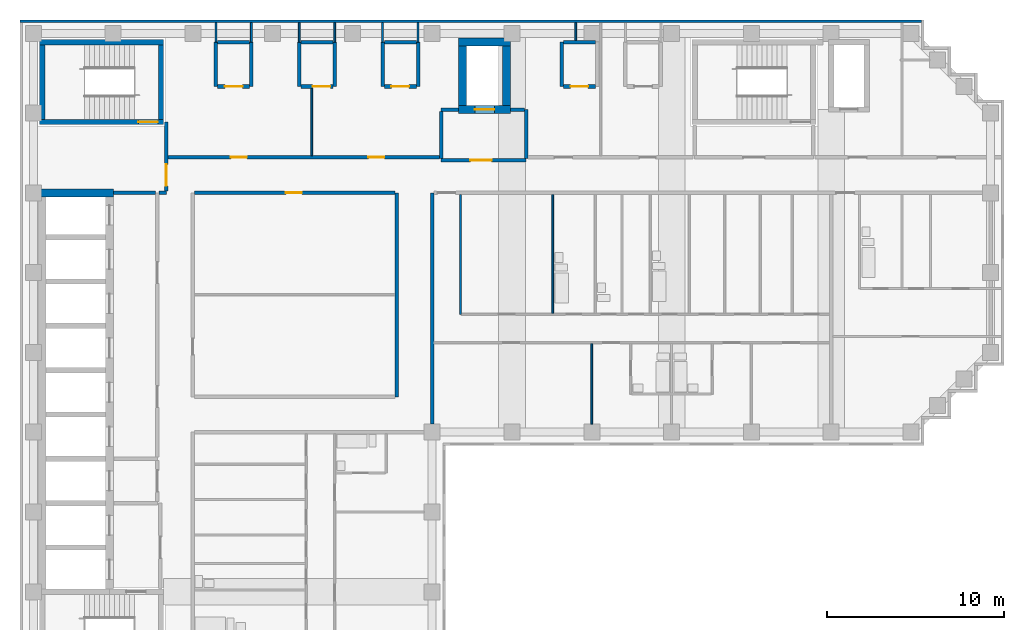
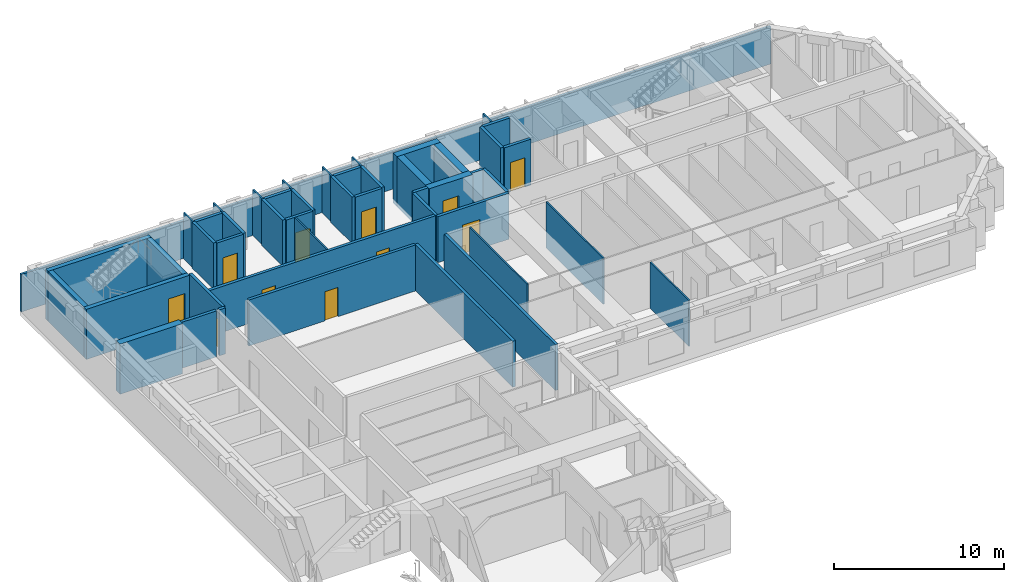
# One storey, part 5 of 10: 48 walls, 11 doors, 11 openings.
"""IFC4 building model written with IfcOpenShell, lengths in metres."""

from ifc_helpers import new_model, si_unit, direction, frame, frame_2d, origin, place, context, subcontext, project, spatial, rectangle, extrude, material, layer, layer_set, type_object, element, fill, save


model = new_model("IFC4")

# Units and contexts
model_context = context("Model", 3, precision=1e-05, world=origin(), true_north=direction((0.0, 1.0)))
body_context = subcontext(model_context, "Body", "Model", "MODEL_VIEW")
ifc_project = project(units=[si_unit("LENGTHUNIT", "METRE"), si_unit("AREAUNIT", "SQUARE_METRE"), si_unit("VOLUMEUNIT", "CUBIC_METRE"), si_unit("PLANEANGLEUNIT", "RADIAN"), si_unit("MASSUNIT", "GRAM", prefix="KILO")], contexts=[model_context])

# Site, building, storey
site_placement = place(None, origin())
site = spatial("IfcSite", under=ifc_project, at=site_placement, CompositionType="ELEMENT")
building_placement = place(site_placement, origin())
building = spatial("IfcBuilding", under=site, at=building_placement, Name="Firuza Court", CompositionType="ELEMENT")
storey_placement = place(building_placement, frame((0.0, 0.0, 200.60009765625)))
storey = spatial("IfcBuildingStorey", under=building, at=storey_placement, Name="L51", CompositionType="ELEMENT", Elevation=200.60009765625)

# Wall
ifc_material_1 = material(Name="Moisture-resistant gypsum board partition")
ifc_layer_1 = layer(ifc_material_1, 0.10009765625)
ifc_layer_set_1 = layer_set([ifc_layer_1], Name="Moisture-resistant gypsum board partition")
wall_type_1 = type_object("IfcWallType", Name="Bathroom partition 100", PredefinedType="PLUMBINGWALL", material=ifc_layer_set_1)
wall_1_placement = place(storey_placement, frame((29.300048828125, 42.699951171875, 0.0), z_axis=(0.0, 0.0, 1.0), x_axis=(0.0, 1.0, 0.0)))
element("IfcWall", 1, at=wall_1_placement, inside=storey, type_object=wall_type_1, Name="Bathroom partition 100 L51", PredefinedType="PLUMBINGWALL", context=body_context, shape_type="SweptSolid", body=[
    extrude(rectangle(XDim=6.699951171875, YDim=0.10009765625, at=frame_2d((3.35009765625, 0.0))), origin(), (0.0, 0.0, 1.0), 3.2998046875),
])

# Wall, opening, door
ifc_material_2 = material(Name="Concrete C50/60", Category="concrete")
ifc_layer_2 = layer(ifc_material_2, 0.300048828125)
ifc_layer_set_2 = layer_set([ifc_layer_2], Name="Concrete C50/60")
wall_type_2 = type_object("IfcWallType", Name="Core wall 300 C50/60", PredefinedType="SHEAR", material=ifc_layer_set_2)
wall_2_placement = place(storey_placement, frame((0.35009765625, 53.5, -0.300048828125), z_axis=(0.0, 0.0, 1.0), x_axis=(1.0, 0.0, 0.0)))
wall_2 = element("IfcWall", 2, at=wall_2_placement, inside=storey, type_object=wall_type_2, Name="Core wall stair L51", PredefinedType="SHEAR", context=body_context, shape_type="SweptSolid", body=[
    extrude(rectangle(XDim=7.0, YDim=0.300048828125, at=frame_2d((3.5, 0.0))), origin(), (0.0, 0.0, 1.0), 3.599853515625),
])
opening_1_placement = place(wall_2_placement, frame((5.580078125, 0.0, 0.300048828125)))
opening_1 = element("IfcOpeningElement", 3, at=opening_1_placement, cuts=wall_2, Name="Opening D51014", PredefinedType="OPENING", context=body_context, shape_type="SweptSolid", body=[
    extrude(rectangle(XDim=1.10009765625, YDim=2.10009765625, at=frame_2d((0.550048828125, 1.050048828125))), frame((0.0, 0.162109375, 0.0), z_axis=(0.0, -1.0, 0.0), x_axis=(1.0, 0.0, 0.0)), (0.0, 0.0, 1.0), 0.323974609375),
])
ifc_material_3 = material(Name="Timber door leaf in hardwood frame", Category="wood")
door_type_1 = type_object("IfcDoorType", Name="Stair door 1100", OperationType="SINGLE_SWING_LEFT", PredefinedType="DOOR", material=ifc_material_3)
door_1_placement = place(opening_1_placement, origin())
door_1 = element("IfcDoor", 4, at=door_1_placement, inside=storey, type_object=door_type_1, Name="Stair door S3", OperationType="SINGLE_SWING_RIGHT", OverallHeight=2.10009765625, OverallWidth=1.10009765625, PredefinedType="DOOR", context=body_context, shape_type="SweptSolid", body=[
    extrude(rectangle(XDim=1.10009765625, YDim=2.10009765625, at=frame_2d((0.550048828125, 1.050048828125))), frame((0.0, 0.02490234375, 0.0), z_axis=(0.0, -1.0, 0.0), x_axis=(1.0, 0.0, 0.0)), (0.0, 0.0, 1.0), 0.050048828125),
])
fill(opening_1, door_1)

# Walls
wall_3_placement = place(storey_placement, frame((0.35009765625, 58.0, -0.300048828125), z_axis=(0.0, 0.0, 1.0), x_axis=(1.0, 0.0, 0.0)))
element("IfcWall", 5, at=wall_3_placement, inside=storey, type_object=wall_type_2, Name="Core wall stair L51", PredefinedType="SHEAR", context=body_context, shape_type="SweptSolid", body=[
    extrude(rectangle(XDim=7.0, YDim=0.300048828125, at=frame_2d((3.5, 0.0))), origin(), (0.0, 0.0, 1.0), 3.599853515625),
])
for number, where, z_axis, x_axis, name in (
    (6, (0.5, 53.64990234375, -0.300048828125), (0.0, 0.0, 1.0), (0.0, 1.0, 0.0), "Core wall stair L51"),
    (7, (7.199951171875, 53.64990234375, -0.300048828125), (0.0, 0.0, 1.0), (0.0, 1.0, 0.0), "Core wall stair L51"),
):
    element("IfcWall", number, at=place(storey_placement, frame(where, z_axis=z_axis, x_axis=x_axis)), inside=storey, type_object=wall_type_2, Name=name, PredefinedType="SHEAR", context=body_context, shape_type="SweptSolid", body=[
        extrude(rectangle(XDim=4.2001953125, YDim=0.300048828125, at=frame_2d((2.10009765625, 0.0))), origin(), (0.0, 0.0, 1.0), 3.599853515625),
    ])
ifc_layer_3 = layer(ifc_material_2, 0.449951171875)
ifc_layer_set_3 = layer_set([ifc_layer_3], Name="Concrete C50/60")
wall_type_3 = type_object("IfcWallType", Name="Core wall 450 C50/60", PredefinedType="SHEAR", material=ifc_layer_set_3)
wall_4_placement = place(storey_placement, frame((0.27490234375, 49.5, -0.300048828125), z_axis=(0.0, 0.0, 1.0), x_axis=(1.0, 0.0, 0.0)))
element("IfcWall", 8, at=wall_4_placement, inside=storey, type_object=wall_type_3, Name="Core wall lift shaft L51", PredefinedType="SHEAR", context=body_context, shape_type="SweptSolid", body=[
    extrude(rectangle(XDim=4.25, YDim=0.449951171875, at=frame_2d((2.125, 0.0))), origin(), (0.0, 0.0, 1.0), 3.599853515625),
])

# Wall, opening, door
wall_5_placement = place(storey_placement, frame((23.97509765625, 54.199951171875, -0.300048828125), z_axis=(0.0, 0.0, 1.0), x_axis=(1.0, 0.0, 0.0)))
wall_5 = element("IfcWall", 9, at=wall_5_placement, inside=storey, type_object=wall_type_3, Name="Core wall lift shaft L51", PredefinedType="SHEAR", context=body_context, shape_type="SweptSolid", body=[
    extrude(rectangle(XDim=2.949951171875, YDim=0.449951171875, at=frame_2d((1.47509765625, 0.0))), origin(), (0.0, 0.0, 1.0), 3.599853515625),
])
opening_2_placement = place(wall_5_placement, frame((0.925048828125, 0.0, 0.300048828125)))
opening_2 = element("IfcOpeningElement", 10, at=opening_2_placement, cuts=wall_5, Name="Opening LD-FL3-51", PredefinedType="OPENING", context=body_context, shape_type="SweptSolid", body=[
    extrude(rectangle(XDim=1.10009765625, YDim=2.10009765625, at=frame_2d((0.550048828125, 1.050048828125))), frame((0.0, 0.23681640625, 0.0), z_axis=(0.0, -1.0, 0.0), x_axis=(1.0, 0.0, 0.0)), (0.0, 0.0, 1.0), 0.473876953125),
])
ifc_material_4 = material(Name="Stainless steel 1.4301 door leaf", Category="steel")
door_type_2 = type_object("IfcDoorType", Name="Lift landing door 1100", OperationType="SLIDING_TO_LEFT", PredefinedType="DOOR", material=ifc_material_4)
door_2_placement = place(opening_2_placement, origin())
door_2 = element("IfcDoor", 11, at=door_2_placement, inside=storey, type_object=door_type_2, Name="Landing door FL3", OperationType="SLIDING_TO_LEFT", OverallHeight=2.10009765625, OverallWidth=1.10009765625, PredefinedType="DOOR", context=body_context, shape_type="SweptSolid", body=[
    extrude(rectangle(XDim=1.10009765625, YDim=2.10009765625, at=frame_2d((0.550048828125, 1.050048828125))), frame((0.0, 0.02490234375, 0.0), z_axis=(0.0, -1.0, 0.0), x_axis=(1.0, 0.0, 0.0)), (0.0, 0.0, 1.0), 0.050048828125),
])
fill(opening_2, door_2)

# Walls
wall_6_placement = place(storey_placement, frame((23.97509765625, 58.0, -0.300048828125), z_axis=(0.0, 0.0, 1.0), x_axis=(1.0, 0.0, 0.0)))
element("IfcWall", 12, at=wall_6_placement, inside=storey, type_object=wall_type_3, Name="Core wall lift shaft L51", PredefinedType="SHEAR", context=body_context, shape_type="SweptSolid", body=[
    extrude(rectangle(XDim=2.949951171875, YDim=0.449951171875, at=frame_2d((1.47509765625, 0.0))), origin(), (0.0, 0.0, 1.0), 3.599853515625),
])
for number, where, z_axis, x_axis, name in (
    (13, (24.199951171875, 54.425048828125, -0.300048828125), (0.0, 0.0, 1.0), (0.0, 1.0, 0.0), "Core wall lift shaft L51"),
    (14, (26.699951171875, 54.425048828125, -0.300048828125), (0.0, 0.0, 1.0), (0.0, 1.0, 0.0), "Core wall lift shaft L51"),
):
    element("IfcWall", number, at=place(storey_placement, frame(where, z_axis=z_axis, x_axis=x_axis)), inside=storey, type_object=wall_type_3, Name=name, PredefinedType="SHEAR", context=body_context, shape_type="SweptSolid", body=[
        extrude(rectangle(XDim=3.349853515625, YDim=0.449951171875, at=frame_2d((1.6748046875, 0.0))), origin(), (0.0, 0.0, 1.0), 3.599853515625),
    ])
ifc_material_5 = material(Name="Blockwork, plastered both sides", Category="masonry")
ifc_layer_4 = layer(ifc_material_5, 0.199951171875)
ifc_layer_set_4 = layer_set([ifc_layer_4], Name="Blockwork, plastered both sides")
wall_type_4 = type_object("IfcWallType", Name="Corridor wall 200", PredefinedType="PARTITIONING", material=ifc_layer_set_4)
wall_7_placement = place(storey_placement, frame((20.5, 38.0, 0.0), z_axis=(0.0, 0.0, 1.0), x_axis=(0.0, 1.0, 0.0)))
element("IfcWall", 15, at=wall_7_placement, inside=storey, type_object=wall_type_4, Name="Corridor wall 200 L51", PredefinedType="PARTITIONING", context=body_context, shape_type="SweptSolid", body=[
    extrude(rectangle(XDim=11.5, YDim=0.199951171875, at=frame_2d((5.75, 0.0))), origin(), (0.0, 0.0, 1.0), 3.2998046875),
])

# Wall, opening, door
wall_8_placement = place(storey_placement, frame((9.10009765625, 49.5, 0.0), z_axis=(0.0, 0.0, 1.0), x_axis=(1.0, 0.0, 0.0)))
wall_8 = element("IfcWall", 16, at=wall_8_placement, inside=storey, type_object=wall_type_4, Name="Corridor wall 200 L51", PredefinedType="PARTITIONING", context=body_context, shape_type="SweptSolid", body=[
    extrude(rectangle(XDim=11.2998046875, YDim=0.199951171875, at=frame_2d((5.64990234375, 0.0))), origin(), (0.0, 0.0, 1.0), 3.2998046875),
])
opening_3_placement = place(wall_8_placement, frame((5.14990234375, 0.0, 0.0)))
opening_3 = element("IfcOpeningElement", 17, at=opening_3_placement, cuts=wall_8, Name="Opening D51056", PredefinedType="OPENING", context=body_context, shape_type="SweptSolid", body=[
    extrude(rectangle(XDim=0.89990234375, YDim=2.10009765625, at=frame_2d((0.449951171875, 1.050048828125))), frame((0.0, 0.11181640625, 0.0), z_axis=(0.0, -1.0, 0.0), x_axis=(1.0, 0.0, 0.0)), (0.0, 0.0, 1.0), 0.223876953125),
])
ifc_material_6 = material(Name="Timber door leaf in hardwood frame", Category="wood")
door_type_3 = type_object("IfcDoorType", Name="Room door 900 EI 30", OperationType="SINGLE_SWING_LEFT", PredefinedType="DOOR", material=ifc_material_6)
door_3_placement = place(opening_3_placement, origin())
door_3 = element("IfcDoor", 18, at=door_3_placement, inside=storey, type_object=door_type_3, Name="Residents' club lounge door", OperationType="SINGLE_SWING_LEFT", OverallHeight=2.10009765625, OverallWidth=0.89990234375, PredefinedType="DOOR", context=body_context, shape_type="SweptSolid", body=[
    extrude(rectangle(XDim=0.89990234375, YDim=2.10009765625, at=frame_2d((0.449951171875, 1.050048828125))), frame((0.0, 0.02490234375, 0.0), z_axis=(0.0, -1.0, 0.0), x_axis=(1.0, 0.0, 0.0)), (0.0, 0.0, 1.0), 0.050048828125),
])
fill(opening_3, door_3)

# Wall, openings, doors
wall_9_placement = place(storey_placement, frame((7.60009765625, 51.5, 0.0), z_axis=(0.0, 0.0, 1.0), x_axis=(1.0, 0.0, 0.0)))
wall_9 = element("IfcWall", 19, at=wall_9_placement, inside=storey, type_object=wall_type_4, Name="Corridor wall 200 L51", PredefinedType="PARTITIONING", context=body_context, shape_type="SweptSolid", body=[
    extrude(rectangle(XDim=15.2998046875, YDim=0.199951171875, at=frame_2d((7.64990234375, 0.0))), origin(), (0.0, 0.0, 1.0), 3.2998046875),
])
opening_4_placement = place(wall_9_placement, frame((3.550048828125, 0.0, 0.0)))
opening_4 = element("IfcOpeningElement", 20, at=opening_4_placement, cuts=wall_9, Name="Opening D51059", PredefinedType="OPENING", context=body_context, shape_type="SweptSolid", body=[
    extrude(rectangle(XDim=0.89990234375, YDim=2.10009765625, at=frame_2d((0.449951171875, 1.050048828125))), frame((0.0, 0.11181640625, 0.0), z_axis=(0.0, -1.0, 0.0), x_axis=(1.0, 0.0, 0.0)), (0.0, 0.0, 1.0), 0.223876953125),
])
opening_5_placement = place(wall_9_placement, frame((11.300048828125, 0.0, 0.0)))
opening_5 = element("IfcOpeningElement", 21, at=opening_5_placement, cuts=wall_9, Name="Opening D51060", PredefinedType="OPENING", context=body_context, shape_type="SweptSolid", body=[
    extrude(rectangle(XDim=0.89990234375, YDim=2.10009765625, at=frame_2d((0.449951171875, 1.050048828125))), frame((0.0, 0.11181640625, 0.0), z_axis=(0.0, -1.0, 0.0), x_axis=(1.0, 0.0, 0.0)), (0.0, 0.0, 1.0), 0.223876953125),
])
door_4_placement = place(opening_4_placement, origin())
door_4 = element("IfcDoor", 22, at=door_4_placement, inside=storey, type_object=door_type_3, Name="Meeting room door", OperationType="SINGLE_SWING_LEFT", OverallHeight=2.10009765625, OverallWidth=0.89990234375, PredefinedType="DOOR", context=body_context, shape_type="SweptSolid", body=[
    extrude(rectangle(XDim=0.89990234375, YDim=2.10009765625, at=frame_2d((0.449951171875, 1.050048828125))), frame((0.0, 0.02490234375, 0.0), z_axis=(0.0, -1.0, 0.0), x_axis=(1.0, 0.0, 0.0)), (0.0, 0.0, 1.0), 0.050048828125),
])
fill(opening_4, door_4)
door_5_placement = place(opening_5_placement, origin())
door_5 = element("IfcDoor", 23, at=door_5_placement, inside=storey, type_object=door_type_3, Name="Meeting room door", OperationType="SINGLE_SWING_LEFT", OverallHeight=2.10009765625, OverallWidth=0.89990234375, PredefinedType="DOOR", context=body_context, shape_type="SweptSolid", body=[
    extrude(rectangle(XDim=0.89990234375, YDim=2.10009765625, at=frame_2d((0.449951171875, 1.050048828125))), frame((0.0, 0.02490234375, 0.0), z_axis=(0.0, -1.0, 0.0), x_axis=(1.0, 0.0, 0.0)), (0.0, 0.0, 1.0), 0.050048828125),
])
fill(opening_5, door_5)

# Walls
ifc_material_7 = material(Name="Timber stud partition, plasterboard both sides", Category="wood")
ifc_layer_5 = layer(ifc_material_7, 0.10009765625)
ifc_layer_set_5 = layer_set([ifc_layer_5], Name="Timber stud partition, plasterboard both sides")
wall_type_5 = type_object("IfcWallType", Name="Partition wall 100", PredefinedType="PARTITIONING", material=ifc_layer_set_5)
wall_10_placement = place(storey_placement, frame((31.5, 36.449951171875, 0.0), z_axis=(0.0, 0.0, 1.0), x_axis=(0.0, 1.0, 0.0)))
element("IfcWall", 24, at=wall_10_placement, inside=storey, type_object=wall_type_5, Name="Partition wall 100 L51", PredefinedType="PARTITIONING", context=body_context, shape_type="SweptSolid", body=[
    extrude(rectangle(XDim=4.550048828125, YDim=0.10009765625, at=frame_2d((2.27490234375, 0.0))), origin(), (0.0, 0.0, 1.0), 3.2998046875),
])
wall_11_placement = place(storey_placement, frame((24.10009765625, 42.64990234375, 0.0), z_axis=(0.0, 0.0, 1.0), x_axis=(0.0, 1.0, 0.0)))
element("IfcWall", 25, at=wall_11_placement, inside=storey, type_object=wall_type_5, Name="Partition wall 100 L51", PredefinedType="PARTITIONING", context=body_context, shape_type="SweptSolid", body=[
    extrude(rectangle(XDim=6.75, YDim=0.10009765625, at=frame_2d((3.375, 0.0))), origin(), (0.0, 0.0, 1.0), 3.2998046875),
])
wall_12_placement = place(storey_placement, frame((15.699951171875, 51.60009765625, 0.0), z_axis=(0.0, 0.0, 1.0), x_axis=(0.0, 1.0, 0.0)))
element("IfcWall", 26, at=wall_12_placement, inside=storey, type_object=wall_type_5, Name="Partition wall 100 L51", PredefinedType="PARTITIONING", context=body_context, shape_type="SweptSolid", body=[
    extrude(rectangle(XDim=3.7998046875, YDim=0.10009765625, at=frame_2d((1.89990234375, 0.0))), origin(), (0.0, 0.0, 1.0), 3.2998046875),
])
for number, where, z_axis, x_axis, name in (
    (27, (10.300048828125, 58.0, 0.0), (0.0, 0.0, 1.0), (0.0, 1.0, 0.0), "Partition wall 100 L51"),
    (28, (12.300048828125, 58.0, 0.0), (0.0, 0.0, 1.0), (0.0, 1.0, 0.0), "Partition wall 100 L51"),
    (29, (15.0, 58.0, 0.0), (0.0, 0.0, 1.0), (0.0, 1.0, 0.0), "Partition wall 100 L51"),
    (30, (17.0, 58.0, 0.0), (0.0, 0.0, 1.0), (0.0, 1.0, 0.0), "Partition wall 100 L51"),
    (31, (19.699951171875, 58.0, 0.0), (0.0, 0.0, 1.0), (0.0, 1.0, 0.0), "Partition wall 100 L51"),
    (32, (21.699951171875, 58.0, 0.0), (0.0, 0.0, 1.0), (0.0, 1.0, 0.0), "Partition wall 100 L51"),
):
    element("IfcWall", number, at=place(storey_placement, frame(where, z_axis=z_axis, x_axis=x_axis)), inside=storey, type_object=wall_type_5, Name=name, PredefinedType="PARTITIONING", context=body_context, shape_type="SweptSolid", body=[
        extrude(rectangle(XDim=1.10009765625, YDim=0.10009765625, at=frame_2d((0.550048828125, 0.0))), origin(), (0.0, 0.0, 1.0), 3.2998046875),
    ])
wall_13_placement = place(storey_placement, frame((30.60009765625, 58.10009765625, 0.0), z_axis=(0.0, 0.0, 1.0), x_axis=(0.0, 1.0, 0.0)))
element("IfcWall", 33, at=wall_13_placement, inside=storey, type_object=wall_type_5, Name="Partition wall 100 L51", PredefinedType="PARTITIONING", context=body_context, shape_type="SweptSolid", body=[
    extrude(rectangle(XDim=1.0, YDim=0.10009765625, at=frame_2d((0.5, 0.0))), origin(), (0.0, 0.0, 1.0), 3.2998046875),
])
ifc_layer_6 = layer(ifc_material_5, 0.199951171875)
ifc_layer_set_6 = layer_set([ifc_layer_6], Name="Blockwork, plastered both sides")
wall_type_6 = type_object("IfcWallType", Name="Party wall 200", PredefinedType="PARTITIONING", material=ifc_layer_set_6)
wall_14_placement = place(storey_placement, frame((22.5, 36.449951171875, 0.0), z_axis=(0.0, 0.0, 1.0), x_axis=(0.0, 1.0, 0.0)))
element("IfcWall", 34, at=wall_14_placement, inside=storey, type_object=wall_type_6, Name="Party wall 200 L51", PredefinedType="PARTITIONING", context=body_context, shape_type="SweptSolid", body=[
    extrude(rectangle(XDim=13.050048828125, YDim=0.199951171875, at=frame_2d((6.52490234375, 0.0))), origin(), (0.0, 0.0, 1.0), 3.2998046875),
])
ifc_material_8 = material(Name="Blockwork, fire-rated", Category="masonry")
ifc_layer_7 = layer(ifc_material_8, 0.199951171875)
ifc_layer_set_7 = layer_set([ifc_layer_7], Name="Blockwork, fire-rated")
wall_type_7 = type_object("IfcWallType", Name="Plant room wall 200", PredefinedType="PARTITIONING", material=ifc_layer_set_7)
wall_15_placement = place(storey_placement, frame((10.300048828125, 55.5, 0.0), z_axis=(0.0, 0.0, 1.0), x_axis=(0.0, 1.0, 0.0)))
element("IfcWall", 35, at=wall_15_placement, inside=storey, type_object=wall_type_7, Name="Plant room wall 200 L51", PredefinedType="PARTITIONING", context=body_context, shape_type="SweptSolid", body=[
    extrude(rectangle(XDim=2.5, YDim=0.199951171875, at=frame_2d((1.25, 0.0))), origin(), (0.0, 0.0, 1.0), 3.2998046875),
])

# Wall, opening, door
wall_16_placement = place(storey_placement, frame((10.39990234375, 55.5, 0.0), z_axis=(0.0, 0.0, 1.0), x_axis=(1.0, 0.0, 0.0)))
wall_16 = element("IfcWall", 36, at=wall_16_placement, inside=storey, type_object=wall_type_7, Name="Plant room wall 200 L51", PredefinedType="PARTITIONING", context=body_context, shape_type="SweptSolid", body=[
    extrude(rectangle(XDim=1.800048828125, YDim=0.199951171875, at=frame_2d((0.89990234375, 0.0))), origin(), (0.0, 0.0, 1.0), 3.2998046875),
])
opening_6_placement = place(wall_16_placement, frame((0.39990234375, 0.0, 0.0)))
opening_6 = element("IfcOpeningElement", 37, at=opening_6_placement, cuts=wall_16, Name="Opening D51065", PredefinedType="OPENING", context=body_context, shape_type="SweptSolid", body=[
    extrude(rectangle(XDim=1.0, YDim=2.10009765625, at=frame_2d((0.5, 1.050048828125))), frame((0.0, 0.11181640625, 0.0), z_axis=(0.0, -1.0, 0.0), x_axis=(1.0, 0.0, 0.0)), (0.0, 0.0, 1.0), 0.223876953125),
])
ifc_material_9 = material(Name="Timber door leaf in hardwood frame", Category="wood")
door_type_4 = type_object("IfcDoorType", Name="Riser door 1000", OperationType="SINGLE_SWING_LEFT", PredefinedType="DOOR", material=ifc_material_9)
door_6_placement = place(opening_6_placement, origin())
door_6 = element("IfcDoor", 38, at=door_6_placement, inside=storey, type_object=door_type_4, Name="Comms riser door", OperationType="SINGLE_SWING_LEFT", OverallHeight=2.10009765625, OverallWidth=1.0, PredefinedType="DOOR", context=body_context, shape_type="SweptSolid", body=[
    extrude(rectangle(XDim=1.0, YDim=2.10009765625, at=frame_2d((0.5, 1.050048828125))), frame((0.0, 0.02490234375, 0.0), z_axis=(0.0, -1.0, 0.0), x_axis=(1.0, 0.0, 0.0)), (0.0, 0.0, 1.0), 0.050048828125),
])
fill(opening_6, door_6)

# Walls
for number, where, z_axis, x_axis, name in (
    (39, (12.300048828125, 55.5, 0.0), (0.0, 0.0, 1.0), (0.0, 1.0, 0.0), "Plant room wall 200 L51"),
    (40, (15.0, 55.5, 0.0), (0.0, 0.0, 1.0), (0.0, 1.0, 0.0), "Plant room wall 200 L51"),
):
    element("IfcWall", number, at=place(storey_placement, frame(where, z_axis=z_axis, x_axis=x_axis)), inside=storey, type_object=wall_type_7, Name=name, PredefinedType="PARTITIONING", context=body_context, shape_type="SweptSolid", body=[
        extrude(rectangle(XDim=2.5, YDim=0.199951171875, at=frame_2d((1.25, 0.0))), origin(), (0.0, 0.0, 1.0), 3.2998046875),
    ])

# Wall, opening, door
wall_17_placement = place(storey_placement, frame((15.10009765625, 55.5, 0.0), z_axis=(0.0, 0.0, 1.0), x_axis=(1.0, 0.0, 0.0)))
wall_17 = element("IfcWall", 41, at=wall_17_placement, inside=storey, type_object=wall_type_7, Name="Plant room wall 200 L51", PredefinedType="PARTITIONING", context=body_context, shape_type="SweptSolid", body=[
    extrude(rectangle(XDim=1.7998046875, YDim=0.199951171875, at=frame_2d((0.89990234375, 0.0))), origin(), (0.0, 0.0, 1.0), 3.2998046875),
])
opening_7_placement = place(wall_17_placement, frame((0.64990234375, 0.0, 0.0)))
opening_7 = element("IfcOpeningElement", 42, at=opening_7_placement, cuts=wall_17, Name="Opening D51066", PredefinedType="OPENING", context=body_context, shape_type="SweptSolid", body=[
    extrude(rectangle(XDim=1.0, YDim=2.10009765625, at=frame_2d((0.5, 1.050048828125))), frame((0.0, 0.11181640625, 0.0), z_axis=(0.0, -1.0, 0.0), x_axis=(1.0, 0.0, 0.0)), (0.0, 0.0, 1.0), 0.223876953125),
])
door_7_placement = place(opening_7_placement, origin())
door_7 = element("IfcDoor", 43, at=door_7_placement, inside=storey, type_object=door_type_4, Name="Electrical riser door", OperationType="SINGLE_SWING_RIGHT", OverallHeight=2.10009765625, OverallWidth=1.0, PredefinedType="DOOR", context=body_context, shape_type="SweptSolid", body=[
    extrude(rectangle(XDim=1.0, YDim=2.10009765625, at=frame_2d((0.5, 1.050048828125))), frame((0.0, 0.02490234375, 0.0), z_axis=(0.0, -1.0, 0.0), x_axis=(1.0, 0.0, 0.0)), (0.0, 0.0, 1.0), 0.050048828125),
])
fill(opening_7, door_7)

# Walls
for number, where, z_axis, x_axis, name in (
    (44, (17.0, 55.5, 0.0), (0.0, 0.0, 1.0), (0.0, 1.0, 0.0), "Plant room wall 200 L51"),
    (45, (19.699951171875, 55.5, 0.0), (0.0, 0.0, 1.0), (0.0, 1.0, 0.0), "Plant room wall 200 L51"),
):
    element("IfcWall", number, at=place(storey_placement, frame(where, z_axis=z_axis, x_axis=x_axis)), inside=storey, type_object=wall_type_7, Name=name, PredefinedType="PARTITIONING", context=body_context, shape_type="SweptSolid", body=[
        extrude(rectangle(XDim=2.5, YDim=0.199951171875, at=frame_2d((1.25, 0.0))), origin(), (0.0, 0.0, 1.0), 3.2998046875),
    ])

# Wall, opening, door
wall_18_placement = place(storey_placement, frame((19.800048828125, 55.5, 0.0), z_axis=(0.0, 0.0, 1.0), x_axis=(1.0, 0.0, 0.0)))
wall_18 = element("IfcWall", 46, at=wall_18_placement, inside=storey, type_object=wall_type_7, Name="Plant room wall 200 L51", PredefinedType="PARTITIONING", context=body_context, shape_type="SweptSolid", body=[
    extrude(rectangle(XDim=1.800048828125, YDim=0.199951171875, at=frame_2d((0.89990234375, 0.0))), origin(), (0.0, 0.0, 1.0), 3.2998046875),
])
opening_8_placement = place(wall_18_placement, frame((0.39990234375, 0.0, 0.0)))
opening_8 = element("IfcOpeningElement", 47, at=opening_8_placement, cuts=wall_18, Name="Opening D51067", PredefinedType="OPENING", context=body_context, shape_type="SweptSolid", body=[
    extrude(rectangle(XDim=1.0, YDim=2.10009765625, at=frame_2d((0.5, 1.050048828125))), frame((0.0, 0.11181640625, 0.0), z_axis=(0.0, -1.0, 0.0), x_axis=(1.0, 0.0, 0.0)), (0.0, 0.0, 1.0), 0.223876953125),
])
door_8_placement = place(opening_8_placement, origin())
door_8 = element("IfcDoor", 48, at=door_8_placement, inside=storey, type_object=door_type_4, Name="Duct riser door", OperationType="SINGLE_SWING_LEFT", OverallHeight=2.10009765625, OverallWidth=1.0, PredefinedType="DOOR", context=body_context, shape_type="SweptSolid", body=[
    extrude(rectangle(XDim=1.0, YDim=2.10009765625, at=frame_2d((0.5, 1.050048828125))), frame((0.0, 0.02490234375, 0.0), z_axis=(0.0, -1.0, 0.0), x_axis=(1.0, 0.0, 0.0)), (0.0, 0.0, 1.0), 0.050048828125),
])
fill(opening_8, door_8)

# Walls
for number, where, z_axis, x_axis, name in (
    (49, (21.699951171875, 55.5, 0.0), (0.0, 0.0, 1.0), (0.0, 1.0, 0.0), "Plant room wall 200 L51"),
    (50, (29.800048828125, 55.5, 0.0), (0.0, 0.0, 1.0), (0.0, 1.0, 0.0), "Plant room wall 200 L51"),
):
    element("IfcWall", number, at=place(storey_placement, frame(where, z_axis=z_axis, x_axis=x_axis)), inside=storey, type_object=wall_type_7, Name=name, PredefinedType="PARTITIONING", context=body_context, shape_type="SweptSolid", body=[
        extrude(rectangle(XDim=2.5, YDim=0.199951171875, at=frame_2d((1.25, 0.0))), origin(), (0.0, 0.0, 1.0), 3.2998046875),
    ])

# Wall, opening, door
wall_19_placement = place(storey_placement, frame((29.89990234375, 55.5, 0.0), z_axis=(0.0, 0.0, 1.0), x_axis=(1.0, 0.0, 0.0)))
wall_19 = element("IfcWall", 51, at=wall_19_placement, inside=storey, type_object=wall_type_7, Name="Plant room wall 200 L51", PredefinedType="PARTITIONING", context=body_context, shape_type="SweptSolid", body=[
    extrude(rectangle(XDim=1.800048828125, YDim=0.199951171875, at=frame_2d((0.89990234375, 0.0))), origin(), (0.0, 0.0, 1.0), 3.2998046875),
])
opening_9_placement = place(wall_19_placement, frame((0.39990234375, 0.0, 0.0)))
opening_9 = element("IfcOpeningElement", 52, at=opening_9_placement, cuts=wall_19, Name="Opening D51068", PredefinedType="OPENING", context=body_context, shape_type="SweptSolid", body=[
    extrude(rectangle(XDim=1.0, YDim=2.10009765625, at=frame_2d((0.5, 1.050048828125))), frame((0.0, 0.11181640625, 0.0), z_axis=(0.0, -1.0, 0.0), x_axis=(1.0, 0.0, 0.0)), (0.0, 0.0, 1.0), 0.223876953125),
])
door_9_placement = place(opening_9_placement, origin())
door_9 = element("IfcDoor", 53, at=door_9_placement, inside=storey, type_object=door_type_4, Name="Electrical riser door", OperationType="SINGLE_SWING_LEFT", OverallHeight=2.10009765625, OverallWidth=1.0, PredefinedType="DOOR", context=body_context, shape_type="SweptSolid", body=[
    extrude(rectangle(XDim=1.0, YDim=2.10009765625, at=frame_2d((0.5, 1.050048828125))), frame((0.0, 0.02490234375, 0.0), z_axis=(0.0, -1.0, 0.0), x_axis=(1.0, 0.0, 0.0)), (0.0, 0.0, 1.0), 0.050048828125),
])
fill(opening_9, door_9)

# Walls
wall_20_placement = place(storey_placement, frame((10.39990234375, 58.0, 0.0), z_axis=(0.0, 0.0, 1.0), x_axis=(1.0, 0.0, 0.0)))
element("IfcWall", 54, at=wall_20_placement, inside=storey, type_object=wall_type_7, Name="Plant room wall 200 L51", PredefinedType="PARTITIONING", context=body_context, shape_type="SweptSolid", body=[
    extrude(rectangle(XDim=1.800048828125, YDim=0.199951171875, at=frame_2d((0.89990234375, 0.0))), origin(), (0.0, 0.0, 1.0), 3.2998046875),
])
wall_21_placement = place(storey_placement, frame((15.10009765625, 58.0, 0.0), z_axis=(0.0, 0.0, 1.0), x_axis=(1.0, 0.0, 0.0)))
element("IfcWall", 55, at=wall_21_placement, inside=storey, type_object=wall_type_7, Name="Plant room wall 200 L51", PredefinedType="PARTITIONING", context=body_context, shape_type="SweptSolid", body=[
    extrude(rectangle(XDim=1.7998046875, YDim=0.199951171875, at=frame_2d((0.89990234375, 0.0))), origin(), (0.0, 0.0, 1.0), 3.2998046875),
])
for number, where, z_axis, x_axis, name in (
    (56, (19.800048828125, 58.0, 0.0), (0.0, 0.0, 1.0), (1.0, 0.0, 0.0), "Plant room wall 200 L51"),
    (57, (29.89990234375, 58.0, 0.0), (0.0, 0.0, 1.0), (1.0, 0.0, 0.0), "Plant room wall 200 L51"),
):
    element("IfcWall", number, at=place(storey_placement, frame(where, z_axis=z_axis, x_axis=x_axis)), inside=storey, type_object=wall_type_7, Name=name, PredefinedType="PARTITIONING", context=body_context, shape_type="SweptSolid", body=[
        extrude(rectangle(XDim=1.800048828125, YDim=0.199951171875, at=frame_2d((0.89990234375, 0.0))), origin(), (0.0, 0.0, 1.0), 3.2998046875),
    ])
ifc_material_10 = material(Name="Ceramic tile", Category="ceramic")
ifc_layer_8 = layer(ifc_material_10, 0.02001953125)
ifc_material_11 = material(Name="Mineral wool insulation", Category="insulation")
ifc_layer_9 = layer(ifc_material_11, 0.050048828125)
ifc_material_12 = material(Name="Concrete C40/50 precast", Category="concrete")
ifc_layer_10 = layer(ifc_material_12, 0.080078125)
ifc_layer_set_8 = layer_set([ifc_layer_8, ifc_layer_9, ifc_layer_10], Name="Concrete C40/50 precast")
wall_type_8 = type_object("IfcWallType", Name="Precast cladding wall with turquoise TILE PANEL face 150", PredefinedType="STANDARD", material=ifc_layer_set_8)
wall_22_placement = place(storey_placement, frame((50.10009765625, 59.175048828125, 0.0), z_axis=(0.0, 0.0, 1.0), x_axis=(-1.0, 0.0, 0.0)))
element("IfcWall", 58, at=wall_22_placement, inside=storey, type_object=wall_type_8, Name="Facade wall L51 N", PredefinedType="STANDARD", context=body_context, shape_type="SweptSolid", body=[
    extrude(rectangle(XDim=50.85009765625, YDim=0.14990234375, at=frame_2d((25.425048828125, 0.0))), origin(), (0.0, 0.0, 1.0), 2.699951171875),
])
ifc_layer_11 = layer(ifc_material_8, 0.199951171875)
ifc_layer_set_9 = layer_set([ifc_layer_11], Name="Blockwork, fire-rated")
wall_type_9 = type_object("IfcWallType", Name="Shaft wall 200", PredefinedType="PARTITIONING", material=ifc_layer_set_9)
wall_23_placement = place(storey_placement, frame((4.52490234375, 49.5, 0.0), z_axis=(0.0, 0.0, 1.0), x_axis=(1.0, 0.0, 0.0)))
element("IfcWall", 59, at=wall_23_placement, inside=storey, type_object=wall_type_9, Name="Shaft wall 200 L51", PredefinedType="PARTITIONING", context=body_context, shape_type="SweptSolid", body=[
    extrude(rectangle(XDim=2.375, YDim=0.199951171875, at=frame_2d((1.1875, 0.0))), origin(), (0.0, 0.0, 1.0), 3.2998046875),
])

# Wall, opening, door
wall_24_placement = place(storey_placement, frame((23.0, 51.35009765625, 0.0), z_axis=(0.0, 0.0, 1.0), x_axis=(1.0, 0.0, 0.0)))
wall_24 = element("IfcWall", 60, at=wall_24_placement, inside=storey, type_object=wall_type_9, Name="Shaft wall 200 L51", PredefinedType="PARTITIONING", context=body_context, shape_type="SweptSolid", body=[
    extrude(rectangle(XDim=4.800048828125, YDim=0.199951171875, at=frame_2d((2.39990234375, 0.0))), origin(), (0.0, 0.0, 1.0), 3.2998046875),
])
opening_10_placement = place(wall_24_placement, frame((1.64990234375, 0.0, 0.0)))
opening_10 = element("IfcOpeningElement", 61, at=opening_10_placement, cuts=wall_24, Name="Opening D51003", PredefinedType="OPENING", context=body_context, shape_type="SweptSolid", body=[
    extrude(rectangle(XDim=1.199951171875, YDim=2.10009765625, at=frame_2d((0.60009765625, 1.050048828125))), frame((0.0, 0.11181640625, 0.0), z_axis=(0.0, -1.0, 0.0), x_axis=(1.0, 0.0, 0.0)), (0.0, 0.0, 1.0), 0.223876953125),
])
ifc_material_13 = material(Name="Timber door leaf in hardwood frame", Category="wood")
door_type_5 = type_object("IfcDoorType", Name="Lobby door 1200", OperationType="SINGLE_SWING_LEFT", PredefinedType="DOOR", material=ifc_material_13)
door_10_placement = place(opening_10_placement, origin())
door_10 = element("IfcDoor", 62, at=door_10_placement, inside=storey, type_object=door_type_5, Name="Fire-fighting lobby door", OperationType="SINGLE_SWING_LEFT", OverallHeight=2.10009765625, OverallWidth=1.199951171875, PredefinedType="DOOR", context=body_context, shape_type="SweptSolid", body=[
    extrude(rectangle(XDim=1.199951171875, YDim=2.10009765625, at=frame_2d((0.60009765625, 1.050048828125))), frame((0.0, 0.02490234375, 0.0), z_axis=(0.0, -1.0, 0.0), x_axis=(1.0, 0.0, 0.0)), (0.0, 0.0, 1.0), 0.050048828125),
])
fill(opening_10, door_10)

# Walls
wall_25_placement = place(storey_placement, frame((27.800048828125, 51.449951171875, 0.0), z_axis=(0.0, 0.0, 1.0), x_axis=(0.0, 1.0, 0.0)))
element("IfcWall", 63, at=wall_25_placement, inside=storey, type_object=wall_type_9, Name="Shaft wall 200 L51", PredefinedType="PARTITIONING", context=body_context, shape_type="SweptSolid", body=[
    extrude(rectangle(XDim=2.75, YDim=0.199951171875, at=frame_2d((1.375, 0.0))), origin(), (0.0, 0.0, 1.0), 3.2998046875),
])
wall_26_placement = place(storey_placement, frame((23.0, 54.199951171875, 0.0), z_axis=(0.0, 0.0, 1.0), x_axis=(1.0, 0.0, 0.0)))
element("IfcWall", 64, at=wall_26_placement, inside=storey, type_object=wall_type_9, Name="Shaft wall 200 L51", PredefinedType="PARTITIONING", context=body_context, shape_type="SweptSolid", body=[
    extrude(rectangle(XDim=0.97509765625, YDim=0.199951171875, at=frame_2d((0.487548828125, 0.0))), origin(), (0.0, 0.0, 1.0), 3.2998046875),
])
wall_27_placement = place(storey_placement, frame((26.925048828125, 54.199951171875, 0.0), z_axis=(0.0, 0.0, 1.0), x_axis=(1.0, 0.0, 0.0)))
element("IfcWall", 65, at=wall_27_placement, inside=storey, type_object=wall_type_9, Name="Shaft wall 200 L51", PredefinedType="PARTITIONING", context=body_context, shape_type="SweptSolid", body=[
    extrude(rectangle(XDim=0.77490234375, YDim=0.199951171875, at=frame_2d((0.387451171875, 0.0))), origin(), (0.0, 0.0, 1.0), 3.2998046875),
])
wall_28_placement = place(storey_placement, frame((23.0, 51.449951171875, 0.0), z_axis=(0.0, 0.0, 1.0), x_axis=(0.0, 1.0, 0.0)))
element("IfcWall", 66, at=wall_28_placement, inside=storey, type_object=wall_type_9, Name="Shaft wall 200 L51", PredefinedType="PARTITIONING", context=body_context, shape_type="SweptSolid", body=[
    extrude(rectangle(XDim=2.650146484375, YDim=0.199951171875, at=frame_2d((1.3251953125, 0.0))), origin(), (0.0, 0.0, 1.0), 3.2998046875),
])
wall_29_placement = place(storey_placement, frame((7.10009765625, 49.5, 0.0), z_axis=(0.0, 0.0, 1.0), x_axis=(1.0, 0.0, 0.0)))
element("IfcWall", 67, at=wall_29_placement, inside=storey, type_object=wall_type_9, Name="Shaft wall 200 L51", PredefinedType="PARTITIONING", context=body_context, shape_type="SweptSolid", body=[
    extrude(rectangle(XDim=0.39990234375, YDim=0.199951171875, at=frame_2d((0.199951171875, 0.0))), origin(), (0.0, 0.0, 1.0), 3.2998046875),
])

# Wall, opening, door
wall_30_placement = place(storey_placement, frame((7.5, 49.60009765625, 0.0), z_axis=(0.0, 0.0, 1.0), x_axis=(0.0, 1.0, 0.0)))
wall_30 = element("IfcWall", 68, at=wall_30_placement, inside=storey, type_object=wall_type_9, Name="Shaft wall 200 L51", PredefinedType="PARTITIONING", context=body_context, shape_type="SweptSolid", body=[
    extrude(rectangle(XDim=3.89990234375, YDim=0.199951171875, at=frame_2d((1.949951171875, 0.0))), origin(), (0.0, 0.0, 1.0), 3.2998046875),
])
opening_11_placement = place(wall_30_placement, frame((0.300048828125, 0.0, 0.0)))
opening_11 = element("IfcOpeningElement", 69, at=opening_11_placement, cuts=wall_30, Name="Opening D51001", PredefinedType="OPENING", context=body_context, shape_type="SweptSolid", body=[
    extrude(rectangle(XDim=1.199951171875, YDim=2.10009765625, at=frame_2d((0.60009765625, 1.050048828125))), frame((0.0, 0.11181640625, 0.0), z_axis=(0.0, -1.0, 0.0), x_axis=(1.0, 0.0, 0.0)), (0.0, 0.0, 1.0), 0.223876953125),
])
door_11_placement = place(opening_11_placement, origin())
door_11 = element("IfcDoor", 70, at=door_11_placement, inside=storey, type_object=door_type_5, Name="Lobby door", OperationType="SINGLE_SWING_LEFT", OverallHeight=2.10009765625, OverallWidth=1.199951171875, PredefinedType="DOOR", context=body_context, shape_type="SweptSolid", body=[
    extrude(rectangle(XDim=1.199951171875, YDim=2.10009765625, at=frame_2d((0.60009765625, 1.050048828125))), frame((0.0, 0.02490234375, 0.0), z_axis=(0.0, -1.0, 0.0), x_axis=(1.0, 0.0, 0.0)), (0.0, 0.0, 1.0), 0.050048828125),
])
fill(opening_11, door_11)

save(model, "model.ifc")
